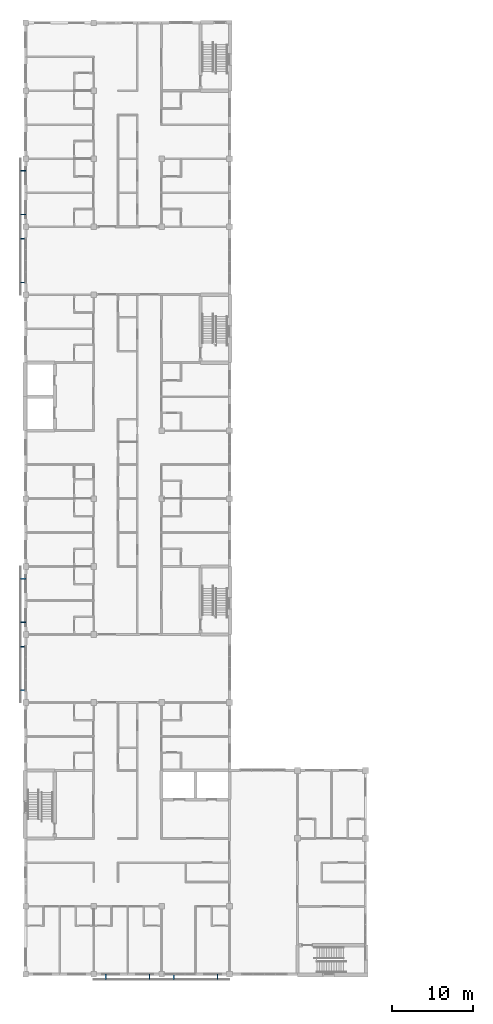
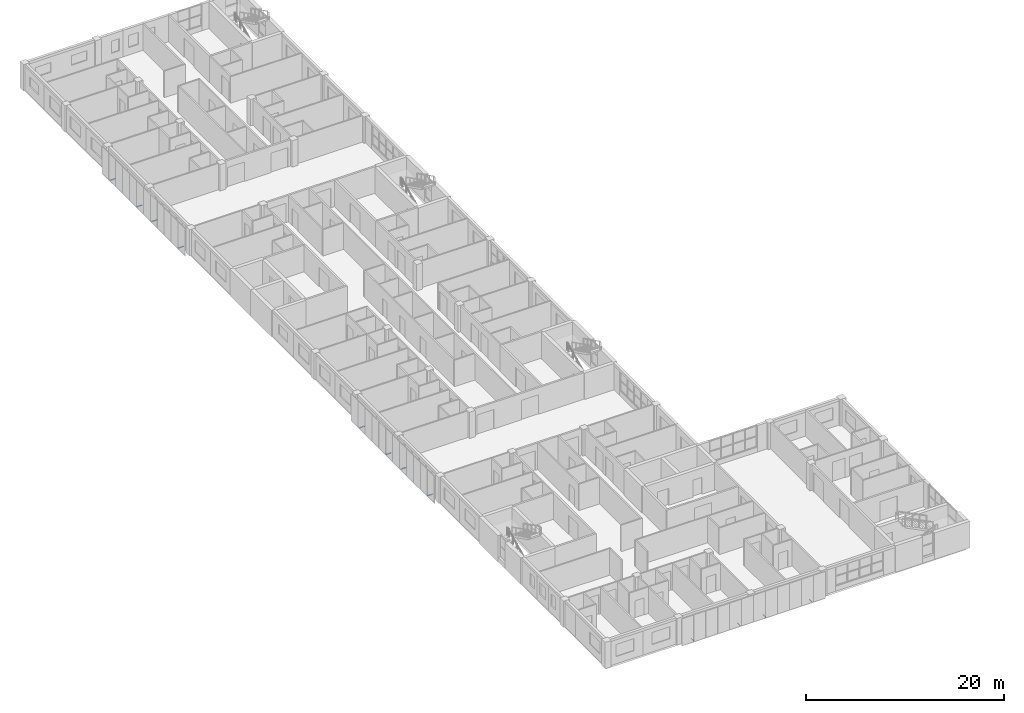
# One storey, part 39 of 45: 12 discrete accessories.
"""IFC4 building model written with IfcOpenShell, lengths in metres."""

from ifc_helpers import new_model, si_unit, direction, frame, origin, origin_2d, place, context, subcontext, project, spatial, hollow_rectangle, extrude, material, material_profile, profile_set, type_object, element, save


model = new_model("IFC4")

# Units and contexts
model_context = context("Model", 3, precision=1e-05, world=origin(), true_north=direction((0.0, 1.0)))
body_context = subcontext(model_context, "Body", "Model", "MODEL_VIEW")
ifc_project = project(units=[si_unit("LENGTHUNIT", "METRE"), si_unit("AREAUNIT", "SQUARE_METRE"), si_unit("VOLUMEUNIT", "CUBIC_METRE"), si_unit("PLANEANGLEUNIT", "RADIAN"), si_unit("MASSUNIT", "GRAM", prefix="KILO")], contexts=[model_context])

# Site, building, storey
site_placement = place(None, origin())
site = spatial("IfcSite", under=ifc_project, at=site_placement, CompositionType="ELEMENT")
building_placement = place(site_placement, origin())
building = spatial("IfcBuilding", under=site, at=building_placement, Name="Yavir Park General Hospital", CompositionType="ELEMENT")
storey_placement = place(building_placement, frame((0.0, 0.0, 22.5)))
storey = spatial("IfcBuildingStorey", under=building, at=storey_placement, Name="L05", CompositionType="ELEMENT", Elevation=22.5)

# Discrete accessories
ifc_material = material(Name="Steel S355", Category="steel")
ifc_material_profile = material_profile(ifc_material, hollow_rectangle(XDim=0.10009765625, YDim=0.06005859375, WallThickness=0.006103515625, InnerFilletRadius=0.006103515625, OuterFilletRadius=0.011962890625, at=origin_2d()), Name="RHS60x100x6")
ifc_profile_set = profile_set([ifc_material_profile], Name="Steel S355")
discrete_accessory_type = type_object("IfcDiscreteAccessoryType", Name="Screen bracket RHS 60 x 100", PredefinedType="BRACKET", material=ifc_profile_set)
for number, where, z_axis, x_axis, name in (
    (1, (9.89990234375, 0.0, -0.030029296875), (0.0, -1.0, 0.0), (1.0, 0.0, 0.0), "Screen bracket S2.3.1"),
    (2, (15.300048828125, 0.0, -0.030029296875), (0.0, -1.0, 0.0), (1.0, 0.0, 0.0), "Screen bracket S2.3.2"),
    (3, (18.300048828125, 0.0, -0.030029296875), (0.0, -1.0, 0.0), (1.0, 0.0, 0.0), "Screen bracket S3.3.1"),
    (4, (23.699951171875, 0.0, -0.030029296875), (0.0, -1.0, 0.0), (1.0, 0.0, 0.0), "Screen bracket S3.3.2"),
    (5, (0.0, 35.10009765625, -0.030029296875), (-1.0, 0.0, 0.0), (0.0, -1.0, 0.0), "Screen bracket W5.3.1"),
    (6, (0.0, 40.5, -0.030029296875), (-1.0, 0.0, 0.0), (0.0, -1.0, 0.0), "Screen bracket W5.3.2"),
    (7, (0.0, 43.5, -0.030029296875), (-1.0, 0.0, 0.0), (0.0, -1.0, 0.0), "Screen bracket W6.3.1"),
    (8, (0.0, 48.89990234375, -0.030029296875), (-1.0, 0.0, 0.0), (0.0, -1.0, 0.0), "Screen bracket W6.3.2"),
    (9, (0.0, 85.5, -0.030029296875), (-1.0, 0.0, 0.0), (0.0, -1.0, 0.0), "Screen bracket W11.3.1"),
    (10, (0.0, 90.89990234375, -0.030029296875), (-1.0, 0.0, 0.0), (0.0, -1.0, 0.0), "Screen bracket W11.3.2"),
    (11, (0.0, 93.89990234375, -0.030029296875), (-1.0, 0.0, 0.0), (0.0, -1.0, 0.0), "Screen bracket W12.3.1"),
    (12, (0.0, 99.300048828125, -0.030029296875), (-1.0, 0.0, 0.0), (0.0, -1.0, 0.0), "Screen bracket W12.3.2"),
):
    element("IfcDiscreteAccessory", number, at=place(storey_placement, frame(where, z_axis=z_axis, x_axis=x_axis)), inside=storey, type_object=discrete_accessory_type, Name=name, PredefinedType="BRACKET", context=body_context, shape_type="SweptSolid", body=[
        extrude(hollow_rectangle(XDim=0.10009765625, YDim=0.06005859375, WallThickness=0.006103515625, InnerFilletRadius=0.006103515625, OuterFilletRadius=0.011962890625, at=origin_2d()), origin(), (0.0, 0.0, 1.0), 0.60009765625),
    ])

save(model, "model.ifc")
